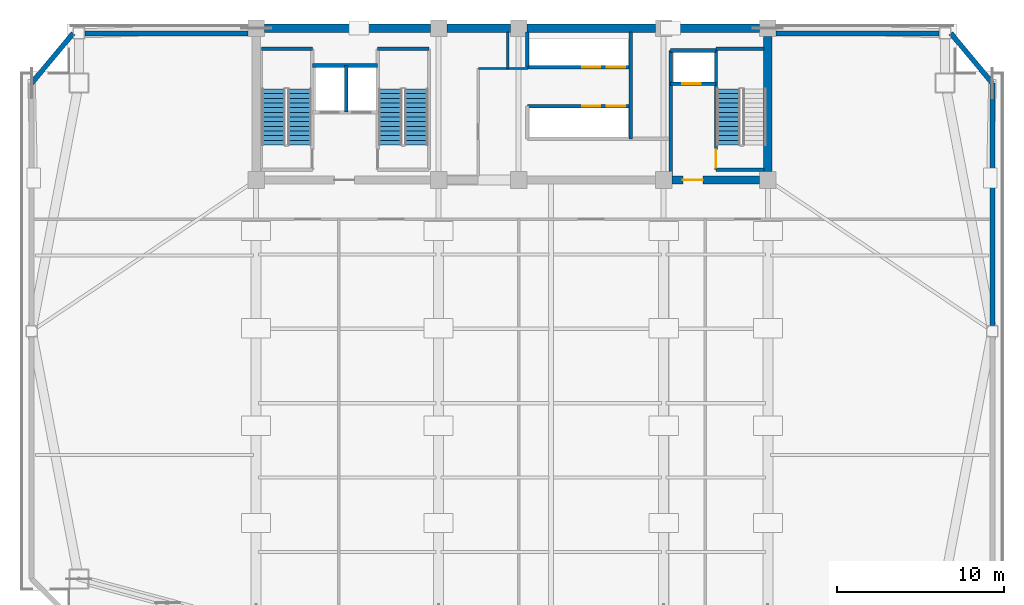
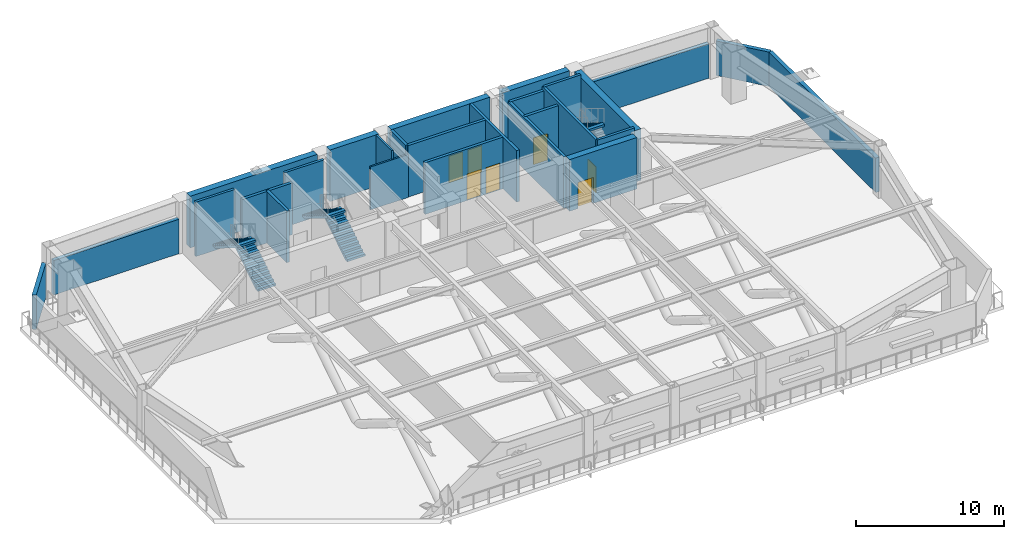
# One storey, part 4 of 11: 27 walls, 7 doors, 5 stair flights, 7 openings, 3 elements without a shape of their own.
"""IFC4 building model written with IfcOpenShell, lengths in metres."""

import ifcopenshell
import ifcopenshell.guid

model = None  # the IFC model being written
_history = None  # IfcOwnerHistory: only IFC2X3 demands one
_inside = {}  # id of a spatial element -> (the spatial element, [elements in it])
_under = {}  # id of a project, library or spatial element -> (it, [spatial elements below it])
_declared = {}  # id of a project -> (the project, [libraries it declares])
_typed = {}  # id of a type object -> (the type object, [elements of that type])
_made_of = {}  # id of a material, layer set ... -> (it, [elements and type objects made of it])


def new_model(schema):
    """Start an empty IFC model of exactly this schema.

    Asked for "IFC4X3", IfcOpenShell would pick the latest addendum, in which some entities
    have other attributes; the version numbers below select the first issue.
    IFC2X3 requires an IfcOwnerHistory on every rooted entity: one is made here for all.
    """
    global model, _history
    if schema == "IFC4X3":
        model = ifcopenshell.file(schema_version=(4, 3, 0, 0))
    else:
        model = ifcopenshell.file(schema=schema)
    _inside.clear()
    _under.clear()
    _declared.clear()
    _typed.clear()
    _made_of.clear()
    _history = None
    if model.schema == "IFC2X3":
        org = make("IfcOrganization", Name="unknown")
        user = make(
            "IfcPersonAndOrganization",
            ThePerson=make("IfcPerson", FamilyName="unknown"),
            TheOrganization=org,
        )
        app = make(
            "IfcApplication",
            ApplicationDeveloper=org,
            Version="unknown",
            ApplicationFullName="unknown",
            ApplicationIdentifier="unknown",
        )
        _history = make(
            "IfcOwnerHistory",
            OwningUser=user,
            OwningApplication=app,
            ChangeAction="ADDED",
            CreationDate=0,
        )
    return model


def make(cls, **values):
    """One entity of the class cls with the attributes given. An attribute that is None is left unset."""
    return model.create_entity(
        cls, **{name: value for name, value in values.items() if value is not None}
    )


def rooted(cls, **values):
    """An entity with a GlobalId (a new one), such as an element, a storey or a relation."""
    return make(cls, GlobalId=ifcopenshell.guid.new(), OwnerHistory=_history, **values)


def si_unit(unit_type, name, prefix=None):
    """IfcSIUnit, for example si_unit("LENGTHUNIT", "METRE", prefix="MILLI")."""
    return make("IfcSIUnit", UnitType=unit_type, Prefix=prefix, Name=name)


def assignment(units):
    """IfcUnitAssignment: the units of a project."""
    return None if units is None else make("IfcUnitAssignment", Units=units)


def point(xyz):
    """IfcCartesianPoint."""
    return None if xyz is None else make("IfcCartesianPoint", Coordinates=xyz)


def direction(xyz):
    """IfcDirection."""
    return None if xyz is None else make("IfcDirection", DirectionRatios=xyz)


def frame(location, z_axis=None, x_axis=None):
    """IfcAxis2Placement3D, a coordinate frame: its origin and axes. An axis left out is left unset."""
    return make(
        "IfcAxis2Placement3D",
        Location=point(location),
        Axis=direction(z_axis),
        RefDirection=direction(x_axis),
    )


def frame_2d(location, x_axis=None):
    """IfcAxis2Placement2D, a coordinate frame in the plane: its origin and x axis."""
    return make(
        "IfcAxis2Placement2D", Location=point(location), RefDirection=direction(x_axis)
    )


def origin():
    """The frame at (0, 0, 0) with its axes left unset."""
    return frame((0.0, 0.0, 0.0))


def place(relative_to, where):
    """IfcLocalPlacement: puts the frame where relative to a parent placement (None: the world)."""
    return make(
        "IfcLocalPlacement", PlacementRelTo=relative_to, RelativePlacement=where
    )


def context(
    kind, dimensions, precision=None, world=None, true_north=None, identifier=None
):
    """IfcGeometricRepresentationContext, for example the 3D "Model" context."""
    return make(
        "IfcGeometricRepresentationContext",
        ContextIdentifier=identifier,
        ContextType=kind,
        CoordinateSpaceDimension=dimensions,
        Precision=precision,
        WorldCoordinateSystem=world,
        TrueNorth=true_north,
    )


def subcontext(parent, identifier, kind, view, scale=None):
    """IfcGeometricRepresentationSubContext, for example "Body" below "Model"."""
    return make(
        "IfcGeometricRepresentationSubContext",
        ContextIdentifier=identifier,
        ContextType=kind,
        ParentContext=parent,
        TargetScale=scale,
        TargetView=view,
    )


def project(units=None, contexts=None):
    """IfcProject with its units and contexts."""
    return rooted(
        "IfcProject",
        Name="project",
        RepresentationContexts=contexts,
        UnitsInContext=assignment(units),
    )


def spatial(cls, under=None, at=None, **own):
    """A site, building, storey or space (cls), placed at a placement, below another one or the project."""
    s = rooted(cls, ObjectPlacement=at, **own)
    if under is not None:
        _under.setdefault(under.id(), (under, []))[1].append(s)
    return s


def polyline(points):
    """IfcPolyline through the points."""
    return make("IfcPolyline", Points=[point(p) for p in points])


def profile(cls, at=None, kind="AREA", **sizes):
    """A parametric profile (cls). Its sizes go by their IFC names, for example OverallWidth=200.0."""
    return make(cls, ProfileType=kind, Position=at, **sizes)


def rectangle(**sizes):
    """IfcRectangleProfileDef."""
    return profile("IfcRectangleProfileDef", **sizes)


def outline(outer, holes=None, kind="AREA"):
    """IfcArbitraryClosedProfileDef: a profile drawn as a closed curve; with holes, ...WithVoids."""
    if holes is None:
        return make("IfcArbitraryClosedProfileDef", ProfileType=kind, OuterCurve=outer)
    return make(
        "IfcArbitraryProfileDefWithVoids",
        ProfileType=kind,
        OuterCurve=outer,
        InnerCurves=holes,
    )


def extrude(swept, where, along, depth):
    """IfcExtrudedAreaSolid: the profile swept, set in the frame where, extruded along a direction by depth."""
    return make(
        "IfcExtrudedAreaSolid",
        SweptArea=swept,
        Position=where,
        ExtrudedDirection=direction(along),
        Depth=depth,
    )


def shape(context_of_items, identifier, shape_type, items):
    """IfcShapeRepresentation: the items that make up one representation, for example the "Body"."""
    return make(
        "IfcShapeRepresentation",
        ContextOfItems=context_of_items,
        RepresentationIdentifier=identifier,
        RepresentationType=shape_type,
        Items=items,
    )


def source(mapping_origin, context_of_items, identifier, shape_type, items):
    """IfcRepresentationMap: a shape defined once, which mapped items show again and again."""
    return make(
        "IfcRepresentationMap",
        MappingOrigin=mapping_origin,
        MappedRepresentation=shape(context_of_items, identifier, shape_type, items),
    )


def transform(
    local_origin,
    x_axis=None,
    y_axis=None,
    z_axis=None,
    scale=None,
    scale2=None,
    scale3=None,
    uniform=True,
):
    """IfcCartesianTransformationOperator3D, or its non-uniform kind. x_axis, y_axis, z_axis: its Axis1, 2, 3."""
    if uniform:
        return make(
            "IfcCartesianTransformationOperator3D",
            Axis1=direction(x_axis),
            Axis2=direction(y_axis),
            LocalOrigin=point(local_origin),
            Scale=scale,
            Axis3=direction(z_axis),
        )
    return make(
        "IfcCartesianTransformationOperator3DnonUniform",
        Axis1=direction(x_axis),
        Axis2=direction(y_axis),
        LocalOrigin=point(local_origin),
        Scale=scale,
        Axis3=direction(z_axis),
        Scale2=scale2,
        Scale3=scale3,
    )


def mapped(mapping_source, mapping_target):
    """IfcMappedItem: shows the shape of a source again, moved by a transform."""
    return make(
        "IfcMappedItem", MappingSource=mapping_source, MappingTarget=mapping_target
    )


def material(Name=None, Category=None):
    """IfcMaterial."""
    return make("IfcMaterial", Name=Name, Category=Category)


def layer(
    of_material, thickness, ventilated=None, Name=None, Category=None, Priority=None
):
    """IfcMaterialLayer: one layer of a wall or slab, of a material (None: an air gap)."""
    return make(
        "IfcMaterialLayer",
        Material=of_material,
        LayerThickness=thickness,
        IsVentilated=ventilated,
        Name=Name,
        Category=Category,
        Priority=Priority,
    )


def layer_set(layers, Name=None):
    """IfcMaterialLayerSet."""
    return make("IfcMaterialLayerSet", MaterialLayers=layers, LayerSetName=Name)


def made_of(thing, what):
    """Note that an element or type object is made of a material, layer set ...; save() writes the relation."""
    if what is not None:
        _made_of.setdefault(what.id(), (what, []))[1].append(thing)
    return thing


def type_object(cls, material=None, **own):
    """A type object (cls), such as IfcWallType, which elements share."""
    return made_of(rooted(cls, **own), material)


def element(
    cls,
    number,
    at=None,
    inside=None,
    cuts=None,
    type_object=None,
    material=None,
    context=None,
    identifier="Body",
    shape_type=None,
    held_by="IfcProductDefinitionShape",
    body=None,
    shapes=None,
    **own,
):
    """One element of the class cls, such as IfcWall. Its Tag is "e" and its number.

    at: its placement. inside: the storey or other place that contains it. cuts: it is an
    opening in that element (IfcRelVoidsElement). A single representation is given by context,
    identifier, shape_type and body (its items); several are given by shapes. held_by: the class
    of the entity that holds the representations. save() writes the other relations.
    """
    e = rooted(cls, Tag="e%d" % number, ObjectPlacement=at, **own)
    if body is not None:
        shapes = [shape(context, identifier, shape_type, body)]
    if shapes is not None:
        e.Representation = make(held_by, Representations=shapes)
    if inside is not None:
        _inside.setdefault(inside.id(), (inside, []))[1].append(e)
    if cuts is not None:
        rooted(
            "IfcRelVoidsElement", RelatingBuildingElement=cuts, RelatedOpeningElement=e
        )
    if type_object is not None:
        _typed.setdefault(type_object.id(), (type_object, []))[1].append(e)
    return made_of(e, material)


def fill(opening, filler):
    """IfcRelFillsElement: the door or window that sits in an opening."""
    return rooted(
        "IfcRelFillsElement",
        RelatingOpeningElement=opening,
        RelatedBuildingElement=filler,
    )


def aggregate(whole, parts):
    """IfcRelAggregates: a whole, such as a stair, and the parts it consists of."""
    return rooted("IfcRelAggregates", RelatingObject=whole, RelatedObjects=parts)


def save(model, path):
    """Write the relations noted so far, then the file.

    IfcRelAggregates (storeys below a building ...), IfcRelContainedInSpatialStructure (elements
    in a storey), IfcRelDefinesByType, IfcRelAssociatesMaterial and IfcRelDeclares: one each for
    every whole, place, type object, material and project.
    """
    for whole, parts in _under.values():
        aggregate(whole, parts)
    for where, things in _inside.values():
        rooted(
            "IfcRelContainedInSpatialStructure",
            RelatedElements=things,
            RelatingStructure=where,
        )
    for kind, things in _typed.values():
        rooted("IfcRelDefinesByType", RelatedObjects=things, RelatingType=kind)
    for what, things in _made_of.values():
        rooted("IfcRelAssociatesMaterial", RelatedObjects=things, RelatingMaterial=what)
    for by, libraries in _declared.values():
        rooted("IfcRelDeclares", RelatingContext=by, RelatedDefinitions=libraries)
    model.write(path)


model = new_model("IFC4")

# Units and contexts
model_context = context("Model", 3, precision=1e-05, world=origin(), true_north=direction((0.0, 1.0)))
body_context = subcontext(model_context, "Body", "Model", "MODEL_VIEW")
ifc_project = project(units=[si_unit("LENGTHUNIT", "METRE"), si_unit("AREAUNIT", "SQUARE_METRE"), si_unit("VOLUMEUNIT", "CUBIC_METRE"), si_unit("PLANEANGLEUNIT", "RADIAN"), si_unit("MASSUNIT", "GRAM", prefix="KILO")], contexts=[model_context])

# Site, building, storey
site_placement = place(None, origin())
site = spatial("IfcSite", under=ifc_project, at=site_placement, CompositionType="ELEMENT")
building_placement = place(site_placement, origin())
building = spatial("IfcBuilding", under=site, at=building_placement, Name="Giltprow Tower", CompositionType="ELEMENT")
storey_placement = place(building_placement, frame((0.0, 0.0, 191.199951171875)))
storey = spatial("IfcBuildingStorey", under=building, at=storey_placement, Name="L48", CompositionType="ELEMENT", Elevation=191.199951171875)

# Walls
ifc_material_1 = material(Name="Precast concrete C40", Category="concrete")
ifc_layer_1 = layer(ifc_material_1, 0.300048828125, Name="Precast concrete C40")
ifc_layer_set_1 = layer_set([ifc_layer_1], Name="Precast concrete C40")
wall_type_1 = type_object("IfcWallType", Name="EW-NOTCH-CHAMFER-300", PredefinedType="SOLIDWALL", material=ifc_layer_set_1)
for number, where, z_axis, x_axis, name in (
    (1, (8.8740234375, 46.25, 0.0), (0.0, 0.0, 1.0), (-0.639807188901, -0.768535465044, 0.0), "L48 Corner Notch Wall NW"),
    (2, (64.011962890625, 43.264892578125, 0.0), (0.0, 0.0, 1.0), (-0.639770061202, 0.768566372403, 0.0), "L48 Corner Notch Wall NE"),
):
    element("IfcWall", number, at=place(storey_placement, frame(where, z_axis=z_axis, x_axis=x_axis)), inside=storey, type_object=wall_type_1, Name=name, PredefinedType="SOLIDWALL", context=body_context, shape_type="SweptSolid", body=[
        extrude(rectangle(XDim=3.884033203125, YDim=0.300048828125, at=frame_2d((1.94189453125, 0.0))), origin(), (0.0, 0.0, 1.0), 2.85009765625),
    ])
ifc_layer_2 = layer(ifc_material_1, 0.300048828125, Name="Precast concrete C40")
ifc_layer_set_2 = layer_set([ifc_layer_2], Name="Precast concrete C40")
wall_type_2 = type_object("IfcWallType", Name="EW-REF-LOUVRE-300", PredefinedType="SOLIDWALL", material=ifc_layer_set_2)
wall_1_placement = place(storey_placement, frame((64.011962890625, 28.739990234375, 0.0), z_axis=(0.0, 0.0, 1.0), x_axis=(0.0, 1.0, 0.0)))
element("IfcWall", 3, at=wall_1_placement, inside=storey, type_object=wall_type_2, Name="L48 E Wing Masonry Wall 2", PredefinedType="SOLIDWALL", context=body_context, shape_type="SweptSolid", body=[
    extrude(rectangle(XDim=14.52490234375, YDim=0.300048828125, at=frame_2d((7.262451171875, 0.0))), origin(), (0.0, 0.0, 1.0), 2.85009765625),
])
wall_2_placement = place(storey_placement, frame((9.573974609375, 46.25, 0.0), z_axis=(0.0, 0.0, 1.0), x_axis=(1.0, 0.0, 0.0)))
element("IfcWall", 4, at=wall_2_placement, inside=storey, type_object=wall_type_2, Name="L48 North-West Wing Wall", PredefinedType="SOLIDWALL", context=body_context, shape_type="SweptSolid", body=[
    extrude(rectangle(XDim=9.776123046875, YDim=0.300048828125, at=frame_2d((4.88818359375, 0.0))), origin(), (0.0, 0.0, 1.0), 2.85009765625),
])
wall_3_placement = place(storey_placement, frame((51.050048828125, 46.25, 0.0), z_axis=(0.0, 0.0, 1.0), x_axis=(1.0, 0.0, 0.0)))
element("IfcWall", 5, at=wall_3_placement, inside=storey, type_object=wall_type_2, Name="L48 North-East Wing Wall", PredefinedType="SOLIDWALL", context=body_context, shape_type="SweptSolid", body=[
    extrude(rectangle(XDim=9.77685546875, YDim=0.300048828125, at=frame_2d((4.888427734375, 0.0))), origin(), (0.0, 0.0, 1.0), 2.85009765625),
])
ifc_material_2 = material(Name="Concrete C40", Category="concrete")
ifc_layer_3 = layer(ifc_material_2, 0.219970703125, Name="Concrete C40")
ifc_layer_set_3 = layer_set([ifc_layer_3], Name="Concrete C40")
wall_type_3 = type_object("IfcWallType", Name="IW-SHAFT-220", PredefinedType="SOLIDWALL", material=ifc_layer_set_3)
wall_4_placement = place(storey_placement, frame((25.260009765625, 41.52001953125, 0.0), z_axis=(0.0, 0.0, 1.0), x_axis=(0.0, 1.0, 0.0)))
element("IfcWall", 6, at=wall_4_placement, inside=storey, type_object=wall_type_3, Name="L48 FFL1-SVL1 Shaft Divider", PredefinedType="SOLIDWALL", context=body_context, shape_type="SweptSolid", body=[
    extrude(rectangle(XDim=2.800048828125, YDim=0.219970703125, at=frame_2d((1.39990234375, 0.0))), origin(), (0.0, 0.0, 1.0), 4.27001953125),
])
wall_5_placement = place(storey_placement, frame((23.219970703125, 44.320068359375, 0.0), z_axis=(0.0, 0.0, 1.0), x_axis=(1.0, 0.0, 0.0)))
element("IfcWall", 7, at=wall_5_placement, inside=storey, type_object=wall_type_3, Name="L48 FFL1-SVL1 Back Shaft Wall", PredefinedType="SOLIDWALL", context=body_context, shape_type="SweptSolid", body=[
    extrude(rectangle(XDim=3.919921875, YDim=0.219970703125, at=frame_2d((1.9599609375, 0.0))), origin(), (0.0, 0.0, 1.0), 4.27001953125),
])

# Wall, opening, door
wall_6_placement = place(storey_placement, frame((44.719970703125, 43.219970703125, 0.0), z_axis=(0.0, 0.0, 1.0), x_axis=(1.0, 0.0, 0.0)))
wall_6 = element("IfcWall", 8, at=wall_6_placement, inside=storey, type_object=wall_type_3, Name="L48 FFL2 Front Shaft Wall", PredefinedType="SOLIDWALL", context=body_context, shape_type="SweptSolid", body=[
    extrude(rectangle(XDim=2.719970703125, YDim=0.219970703125, at=frame_2d((1.35986328125, 0.0))), origin(), (0.0, 0.0, 1.0), 4.27001953125),
])
opening_1_placement = place(wall_6_placement, frame((0.699951171875, 0.0, 0.0)))
opening_1 = element("IfcOpeningElement", 9, at=opening_1_placement, cuts=wall_6, Name="Opening LD-11", PredefinedType="OPENING", context=body_context, shape_type="SweptSolid", body=[
    extrude(rectangle(XDim=1.10009765625, YDim=2.199951171875, at=frame_2d((0.550048828125, 1.10009765625))), frame((0.0, 0.119873046875, 0.0), z_axis=(0.0, -1.0, 0.0), x_axis=(1.0, 0.0, 0.0)), (0.0, 0.0, 1.0), 0.239990234375),
])
ifc_material_3 = material(Name="Stainless steel", Category="steel")
door_type_1 = type_object("IfcDoorType", Name="DR-LIFT-LD1100", OperationType="SLIDING_TO_LEFT", PredefinedType="DOOR", material=ifc_material_3)
shared_shape_1 = source(origin(), body_context, "Body", "SweptSolid", [
    extrude(rectangle(XDim=1.10009765625, YDim=2.199951171875, at=frame_2d((0.550048828125, 1.10009765625))), frame((0.0, 0.02490234375, 0.0), z_axis=(0.0, -1.0, 0.0), x_axis=(1.0, 0.0, 0.0)), (0.0, 0.0, 1.0), 0.050048828125),
])
door_1_placement = place(opening_1_placement, origin())
door_1 = element("IfcDoor", 10, at=door_1_placement, inside=storey, type_object=door_type_1, Name="L48 FFL2 Landing Door", OperationType="SLIDING_TO_LEFT", OverallHeight=2.199951171875, OverallWidth=1.10009765625, PredefinedType="DOOR", context=body_context, shape_type="MappedRepresentation", body=[
    mapped(shared_shape_1, transform((0.0, 0.0, 0.0), x_axis=(1.0, 0.0, 0.0), y_axis=(0.0, 1.0, 0.0), z_axis=(0.0, 0.0, 1.0), scale=1.0)),
])
fill(opening_1, door_1)

# Walls
wall_7_placement = place(storey_placement, frame((44.719970703125, 45.219970703125, 0.0), z_axis=(0.0, 0.0, 1.0), x_axis=(1.0, 0.0, 0.0)))
element("IfcWall", 11, at=wall_7_placement, inside=storey, type_object=wall_type_3, Name="L48 FFL2 Back Shaft Wall", PredefinedType="SOLIDWALL", context=body_context, shape_type="SweptSolid", body=[
    extrude(rectangle(XDim=2.719970703125, YDim=0.219970703125, at=frame_2d((1.35986328125, 0.0))), origin(), (0.0, 0.0, 1.0), 4.27001953125),
])
wall_8_placement = place(storey_placement, frame((44.719970703125, 37.679931640625, 0.0), z_axis=(0.0, 0.0, 1.0), x_axis=(0.0, 1.0, 0.0)))
element("IfcWall", 12, at=wall_8_placement, inside=storey, type_object=wall_type_3, Name="L48 East Firefighting Lobby West Wall", PredefinedType="SOLIDWALL", context=body_context, shape_type="SweptSolid", body=[
    extrude(rectangle(XDim=7.5400390625, YDim=0.219970703125, at=frame_2d((3.77001953125, 0.0))), origin(), (0.0, 0.0, 1.0), 4.27001953125),
])

# Wall, openings, doors
wall_9_placement = place(storey_placement, frame((36.1201171875, 44.219970703125, 0.0), z_axis=(0.0, 0.0, 1.0), x_axis=(1.0, 0.0, 0.0)))
wall_9 = element("IfcWall", 13, at=wall_9_placement, inside=storey, type_object=wall_type_3, Name="L48 Mid-Rise Lift Shaft Front Wall N", PredefinedType="SOLIDWALL", context=body_context, shape_type="SweptSolid", body=[
    extrude(rectangle(XDim=6.199951171875, YDim=0.219970703125, at=frame_2d((3.10009765625, 0.0))), origin(), (0.0, 0.0, 1.0), 4.27001953125),
])
opening_2_placement = place(wall_9_placement, frame((3.280029296875, 0.0, 0.0)))
opening_2 = element("IfcOpeningElement", 14, at=opening_2_placement, cuts=wall_9, Name="Opening LD-11", PredefinedType="OPENING", context=body_context, shape_type="SweptSolid", body=[
    extrude(rectangle(XDim=1.10009765625, YDim=2.199951171875, at=frame_2d((0.550048828125, 1.10009765625))), frame((0.0, 0.119873046875, 0.0), z_axis=(0.0, -1.0, 0.0), x_axis=(1.0, 0.0, 0.0)), (0.0, 0.0, 1.0), 0.239990234375),
])
opening_3_placement = place(wall_9_placement, frame((4.77001953125, 0.0, 0.0)))
opening_3 = element("IfcOpeningElement", 15, at=opening_3_placement, cuts=wall_9, Name="Opening LD-11", PredefinedType="OPENING", context=body_context, shape_type="SweptSolid", body=[
    extrude(rectangle(XDim=1.10009765625, YDim=2.199951171875, at=frame_2d((0.550048828125, 1.10009765625))), frame((0.0, 0.119873046875, 0.0), z_axis=(0.0, -1.0, 0.0), x_axis=(1.0, 0.0, 0.0)), (0.0, 0.0, 1.0), 0.239990234375),
])
door_2_placement = place(opening_2_placement, origin())
door_2 = element("IfcDoor", 16, at=door_2_placement, inside=storey, type_object=door_type_1, Name="L48 PL-M1 Landing Door", OperationType="SLIDING_TO_LEFT", OverallHeight=2.199951171875, OverallWidth=1.10009765625, PredefinedType="DOOR", context=body_context, shape_type="MappedRepresentation", body=[
    mapped(shared_shape_1, transform((0.0, 0.0, 0.0), x_axis=(1.0, 0.0, 0.0), y_axis=(0.0, 1.0, 0.0), z_axis=(0.0, 0.0, 1.0), scale=1.0)),
])
fill(opening_2, door_2)
door_3_placement = place(opening_3_placement, origin())
door_3 = element("IfcDoor", 17, at=door_3_placement, inside=storey, type_object=door_type_1, Name="L48 PL-M2 Landing Door", OperationType="SLIDING_TO_LEFT", OverallHeight=2.199951171875, OverallWidth=1.10009765625, PredefinedType="DOOR", context=body_context, shape_type="MappedRepresentation", body=[
    mapped(shared_shape_1, transform((0.0, 0.0, 0.0), x_axis=(1.0, 0.0, 0.0), y_axis=(0.0, 1.0, 0.0), z_axis=(0.0, 0.0, 1.0), scale=1.0)),
])
fill(opening_3, door_3)

wall_10_placement = place(storey_placement, frame((36.1201171875, 41.8798828125, 0.0), z_axis=(0.0, 0.0, 1.0), x_axis=(1.0, 0.0, 0.0)))
wall_10 = element("IfcWall", 18, at=wall_10_placement, inside=storey, type_object=wall_type_3, Name="L48 Mid-Rise Lift Shaft Front Wall S", PredefinedType="SOLIDWALL", context=body_context, shape_type="SweptSolid", body=[
    extrude(rectangle(XDim=6.199951171875, YDim=0.219970703125, at=frame_2d((3.10009765625, 0.0))), origin(), (0.0, 0.0, 1.0), 4.27001953125),
])
opening_4_placement = place(wall_10_placement, frame((3.280029296875, 0.0, 0.0)))
opening_4 = element("IfcOpeningElement", 19, at=opening_4_placement, cuts=wall_10, Name="Opening LD-11", PredefinedType="OPENING", context=body_context, shape_type="SweptSolid", body=[
    extrude(rectangle(XDim=1.10009765625, YDim=2.199951171875, at=frame_2d((0.550048828125, 1.10009765625))), frame((0.0, 0.119873046875, 0.0), z_axis=(0.0, -1.0, 0.0), x_axis=(1.0, 0.0, 0.0)), (0.0, 0.0, 1.0), 0.239990234375),
])
opening_5_placement = place(wall_10_placement, frame((4.77001953125, 0.0, 0.0)))
opening_5 = element("IfcOpeningElement", 20, at=opening_5_placement, cuts=wall_10, Name="Opening LD-11", PredefinedType="OPENING", context=body_context, shape_type="SweptSolid", body=[
    extrude(rectangle(XDim=1.10009765625, YDim=2.199951171875, at=frame_2d((0.550048828125, 1.10009765625))), frame((0.0, 0.119873046875, 0.0), z_axis=(0.0, -1.0, 0.0), x_axis=(1.0, 0.0, 0.0)), (0.0, 0.0, 1.0), 0.239990234375),
])
door_4_placement = place(opening_4_placement, origin())
door_4 = element("IfcDoor", 21, at=door_4_placement, inside=storey, type_object=door_type_1, Name="L48 PL-M3 Landing Door", OperationType="SLIDING_TO_LEFT", OverallHeight=2.199951171875, OverallWidth=1.10009765625, PredefinedType="DOOR", context=body_context, shape_type="MappedRepresentation", body=[
    mapped(shared_shape_1, transform((0.0, 0.0, 0.0), x_axis=(1.0, 0.0, 0.0), y_axis=(0.0, 1.0, 0.0), z_axis=(0.0, 0.0, 1.0), scale=1.0)),
])
fill(opening_4, door_4)
door_5_placement = place(opening_5_placement, origin())
door_5 = element("IfcDoor", 22, at=door_5_placement, inside=storey, type_object=door_type_1, Name="L48 PL-M4 Landing Door", OperationType="SLIDING_TO_LEFT", OverallHeight=2.199951171875, OverallWidth=1.10009765625, PredefinedType="DOOR", context=body_context, shape_type="MappedRepresentation", body=[
    mapped(shared_shape_1, transform((0.0, 0.0, 0.0), x_axis=(1.0, 0.0, 0.0), y_axis=(0.0, 1.0, 0.0), z_axis=(0.0, 0.0, 1.0), scale=1.0)),
])
fill(opening_5, door_5)

# Walls
wall_11_placement = place(storey_placement, frame((42.320068359375, 39.919921875, 0.0), z_axis=(0.0, 0.0, 1.0), x_axis=(0.0, 1.0, 0.0)))
element("IfcWall", 23, at=wall_11_placement, inside=storey, type_object=wall_type_3, Name="L48 Mid-Rise Lift Bank East Closure", PredefinedType="SOLIDWALL", context=body_context, shape_type="SweptSolid", body=[
    extrude(rectangle(XDim=6.400146484375, YDim=0.219970703125, at=frame_2d((3.2001953125, 0.0))), origin(), (0.0, 0.0, 1.0), 4.27001953125),
])
wall_12_placement = place(storey_placement, frame((36.1201171875, 44.219970703125, 0.0), z_axis=(0.0, 0.0, 1.0), x_axis=(0.0, 1.0, 0.0)))
element("IfcWall", 24, at=wall_12_placement, inside=storey, type_object=wall_type_3, Name="L48 Mid-Rise North Lift West Closure", PredefinedType="SOLIDWALL", context=body_context, shape_type="SweptSolid", body=[
    extrude(rectangle(XDim=2.10009765625, YDim=0.219970703125, at=frame_2d((1.050048828125, 0.0))), origin(), (0.0, 0.0, 1.0), 4.27001953125),
])
ifc_layer_4 = layer(ifc_material_2, 0.199951171875, Name="Concrete C40")
ifc_layer_set_4 = layer_set([ifc_layer_4], Name="Concrete C40")
wall_type_4 = type_object("IfcWallType", Name="IW-STAIR-200", PredefinedType="SOLIDWALL", material=ifc_layer_set_4)
wall_13_placement = place(storey_placement, frame((20.169921875, 45.320068359375, 0.0), z_axis=(0.0, 0.0, 1.0), x_axis=(1.0, 0.0, 0.0)))
element("IfcWall", 25, at=wall_13_placement, inside=storey, type_object=wall_type_4, Name="L48 Stair ST-1 North Bearing Wall", PredefinedType="SOLIDWALL", context=body_context, shape_type="SweptSolid", body=[
    extrude(rectangle(XDim=3.050048828125, YDim=0.199951171875, at=frame_2d((1.52490234375, 0.0))), origin(), (0.0, 0.0, 1.0), 4.5),
])
wall_14_placement = place(storey_placement, frame((27.139892578125, 45.320068359375, 0.0), z_axis=(0.0, 0.0, 1.0), x_axis=(1.0, 0.0, 0.0)))
element("IfcWall", 26, at=wall_14_placement, inside=storey, type_object=wall_type_4, Name="L48 Stair ST-2 North Bearing Wall", PredefinedType="SOLIDWALL", context=body_context, shape_type="SweptSolid", body=[
    extrude(rectangle(XDim=3.080078125, YDim=0.199951171875, at=frame_2d((1.5400390625, 0.0))), origin(), (0.0, 0.0, 1.0), 4.5),
])

# Wall, opening, door
wall_15_placement = place(storey_placement, frame((47.43994140625, 38.070068359375, 0.0), z_axis=(0.0, 0.0, 1.0), x_axis=(0.0, 1.0, 0.0)))
wall_15 = element("IfcWall", 27, at=wall_15_placement, inside=storey, type_object=wall_type_4, Name="L48 Stair ST-3 West Bearing Wall", PredefinedType="SOLIDWALL", context=body_context, shape_type="SweptSolid", body=[
    extrude(rectangle(XDim=7.25, YDim=0.199951171875, at=frame_2d((3.625, 0.0))), origin(), (0.0, 0.0, 1.0), 4.5),
])
opening_6_placement = place(wall_15_placement, frame((0.110107421875, 0.0, 0.0)))
opening_6 = element("IfcOpeningElement", 28, at=opening_6_placement, cuts=wall_15, Name="Opening ID33", PredefinedType="OPENING", context=body_context, shape_type="SweptSolid", body=[
    extrude(rectangle(XDim=1.10009765625, YDim=2.14990234375, at=frame_2d((0.550048828125, 1.074951171875))), frame((0.0, 0.10986328125, 0.0), z_axis=(0.0, -1.0, 0.0), x_axis=(1.0, 0.0, 0.0)), (0.0, 0.0, 1.0), 0.219970703125),
])
ifc_material_4 = material(Name="Steel fire leaf", Category="steel")
door_type_2 = type_object("IfcDoorType", Name="DR-STAIR-1100", OperationType="SINGLE_SWING_LEFT", PredefinedType="DOOR", material=ifc_material_4)
shared_shape_2 = source(origin(), body_context, "Body", "SweptSolid", [
    extrude(rectangle(XDim=1.10009765625, YDim=2.14990234375, at=frame_2d((0.550048828125, 1.074951171875))), frame((0.0, 0.02490234375, 0.0), z_axis=(0.0, -1.0, 0.0), x_axis=(1.0, 0.0, 0.0)), (0.0, 0.0, 1.0), 0.050048828125),
])
door_6_placement = place(opening_6_placement, origin())
door_6 = element("IfcDoor", 29, at=door_6_placement, inside=storey, type_object=door_type_2, Name="L48 Stair ST-3 Fire Door", OperationType="SINGLE_SWING_LEFT", OverallHeight=2.14990234375, OverallWidth=1.10009765625, PredefinedType="DOOR", context=body_context, shape_type="MappedRepresentation", body=[
    mapped(shared_shape_2, transform((0.0, 0.0, 0.0), x_axis=(1.0, 0.0, 0.0), y_axis=(0.0, 1.0, 0.0), z_axis=(0.0, 0.0, 1.0), scale=1.0)),
])
fill(opening_6, door_6)

# Walls
for number, where, z_axis, x_axis, name in (
    (30, (47.43994140625, 45.320068359375, 0.0), (0.0, 0.0, 1.0), (1.0, 0.0, 0.0), "L48 Stair ST-3 North Bearing Wall"),
    (31, (47.43994140625, 38.070068359375, 0.0), (0.0, 0.0, 1.0), (1.0, 0.0, 0.0), "L48 Stair ST-3 South Bearing Wall"),
):
    element("IfcWall", number, at=place(storey_placement, frame(where, z_axis=z_axis, x_axis=x_axis)), inside=storey, type_object=wall_type_4, Name=name, PredefinedType="SOLIDWALL", context=body_context, shape_type="SweptSolid", body=[
        extrude(rectangle(XDim=2.880126953125, YDim=0.199951171875, at=frame_2d((1.43994140625, 0.0))), origin(), (0.0, 0.0, 1.0), 4.5),
    ])
ifc_material_5 = material(Name="Concrete C30", Category="concrete")
ifc_layer_5 = layer(ifc_material_5, 0.1298828125, Name="Concrete C30")
ifc_layer_set_5 = layer_set([ifc_layer_5], Name="Concrete C30")
wall_type_5 = type_object("IfcWallType", Name="IW-WET-130", PredefinedType="PARTITIONING", material=ifc_layer_set_5)
wall_16_placement = place(storey_placement, frame((34.949951171875, 44.14990234375, 0.0), z_axis=(0.0, 0.0, 1.0), x_axis=(0.0, 1.0, 0.0)))
element("IfcWall", 32, at=wall_16_placement, inside=storey, type_object=wall_type_5, Name="L48 Reclaimed North Pocket East Wall", PredefinedType="PARTITIONING", context=body_context, shape_type="SweptSolid", body=[
    extrude(rectangle(XDim=2.170166015625, YDim=0.1298828125, at=frame_2d((1.0849609375, 0.0))), origin(), (0.0, 0.0, 1.0), 4.27001953125),
])
wall_17_placement = place(storey_placement, frame((33.179931640625, 44.14990234375, 0.0), z_axis=(0.0, 0.0, 1.0), x_axis=(1.0, 0.0, 0.0)))
element("IfcWall", 33, at=wall_17_placement, inside=storey, type_object=wall_type_5, Name="L48 Reclaimed North Pocket South Wall", PredefinedType="PARTITIONING", context=body_context, shape_type="SweptSolid", body=[
    extrude(rectangle(XDim=2.969970703125, YDim=0.1298828125, at=frame_2d((1.48486328125, 0.0))), origin(), (0.0, 0.0, 1.0), 3.554931640625),
])
ifc_material_6 = material(Name="Concrete C50", Category="concrete")
ifc_layer_6 = layer(ifc_material_6, 0.5, Name="Concrete C50")
ifc_layer_set_6 = layer_set([ifc_layer_6], Name="Concrete C50")
wall_type_6 = type_object("IfcWallType", Name="SW-EXT-500-C50", PredefinedType="SHEAR", material=ifc_layer_set_6)
wall_18_placement = place(storey_placement, frame((20.35009765625, 46.550048828125, 0.0), z_axis=(0.0, 0.0, 1.0), x_axis=(1.0, 0.0, 0.0)))
element("IfcWall", 34, at=wall_18_placement, inside=storey, type_object=wall_type_6, Name="L48 North Rear Core Shear Wall 1", PredefinedType="SHEAR", context=body_context, shape_type="SweptSolid", body=[
    extrude(rectangle(XDim=9.949951171875, YDim=0.5, at=frame_2d((4.97509765625, 0.0))), origin(), (0.0, 0.0, 1.0), 4.27001953125),
])
wall_19_placement = place(storey_placement, frame((31.300048828125, 46.550048828125, 0.0), z_axis=(0.0, 0.0, 1.0), x_axis=(1.0, 0.0, 0.0)))
element("IfcWall", 35, at=wall_19_placement, inside=storey, type_object=wall_type_6, Name="L48 North Rear Core Shear Wall 2", PredefinedType="SHEAR", context=body_context, shape_type="SweptSolid", body=[
    extrude(rectangle(XDim=3.800048828125, YDim=0.5, at=frame_2d((1.89990234375, 0.0))), origin(), (0.0, 0.0, 1.0), 4.27001953125),
])
wall_20_placement = place(storey_placement, frame((36.10009765625, 46.550048828125, 0.0), z_axis=(0.0, 0.0, 1.0), x_axis=(1.0, 0.0, 0.0)))
element("IfcWall", 36, at=wall_20_placement, inside=storey, type_object=wall_type_6, Name="L48 North Rear Core Shear Wall 3", PredefinedType="SHEAR", context=body_context, shape_type="SweptSolid", body=[
    extrude(rectangle(XDim=7.699951171875, YDim=0.5, at=frame_2d((3.85009765625, 0.0))), origin(), (0.0, 0.0, 1.0), 4.27001953125),
])
wall_21_placement = place(storey_placement, frame((44.800048828125, 46.550048828125, 0.0), z_axis=(0.0, 0.0, 1.0), x_axis=(1.0, 0.0, 0.0)))
element("IfcWall", 37, at=wall_21_placement, inside=storey, type_object=wall_type_6, Name="L48 North Rear Core Shear Wall 4", PredefinedType="SHEAR", context=body_context, shape_type="SweptSolid", body=[
    extrude(rectangle(XDim=5.25, YDim=0.5, at=frame_2d((2.625, 0.0))), origin(), (0.0, 0.0, 1.0), 4.27001953125),
])

# Wall, opening, door
ifc_layer_7 = layer(ifc_material_6, 0.5, Name="Concrete C50")
ifc_layer_set_7 = layer_set([ifc_layer_7], Name="Concrete C50")
wall_type_7 = type_object("IfcWallType", Name="SW-INT-500-C50", PredefinedType="SHEAR", material=ifc_layer_set_7)
wall_22_placement = place(storey_placement, frame((44.800048828125, 37.449951171875, 0.0), z_axis=(0.0, 0.0, 1.0), x_axis=(1.0, 0.0, 0.0)))
wall_22 = element("IfcWall", 38, at=wall_22_placement, inside=storey, type_object=wall_type_7, Name="L48 South Rear Core Shear Wall East", PredefinedType="SHEAR", context=body_context, shape_type="SweptSolid", body=[
    extrude(rectangle(XDim=5.25, YDim=0.5, at=frame_2d((2.625, 0.0))), origin(), (0.0, 0.0, 1.0), 4.27001953125),
])
opening_7_placement = place(wall_22_placement, frame((0.64990234375, 0.0, 0.0)))
opening_7 = element("IfcOpeningElement", 39, at=opening_7_placement, cuts=wall_22, Name="Opening ID19", PredefinedType="OPENING", context=body_context, shape_type="SweptSolid", body=[
    extrude(rectangle(XDim=1.199951171875, YDim=2.14990234375, at=frame_2d((0.60009765625, 1.074951171875))), frame((0.0, 0.260009765625, 0.0), z_axis=(0.0, -1.0, 0.0), x_axis=(1.0, 0.0, 0.0)), (0.0, 0.0, 1.0), 0.52001953125),
])
door_type_3 = type_object("IfcDoorType", Name="DR-FFLOBBY-1200", OperationType="SINGLE_SWING_RIGHT", PredefinedType="DOOR", material=ifc_material_4)
shared_shape_3 = source(origin(), body_context, "Body", "SweptSolid", [
    extrude(rectangle(XDim=1.199951171875, YDim=2.14990234375, at=frame_2d((0.60009765625, 1.074951171875))), frame((0.0, 0.02490234375, 0.0), z_axis=(0.0, -1.0, 0.0), x_axis=(1.0, 0.0, 0.0)), (0.0, 0.0, 1.0), 0.050048828125),
])
door_7_placement = place(opening_7_placement, origin())
door_7 = element("IfcDoor", 40, at=door_7_placement, inside=storey, type_object=door_type_3, Name="L48 East Firefighting Lobby Entry Door", OperationType="SINGLE_SWING_RIGHT", OverallHeight=2.14990234375, OverallWidth=1.199951171875, PredefinedType="DOOR", context=body_context, shape_type="MappedRepresentation", body=[
    mapped(shared_shape_3, transform((0.0, 0.0, 0.0), x_axis=(1.0, 0.0, 0.0), y_axis=(0.0, 1.0, 0.0), z_axis=(0.0, 0.0, 1.0), scale=1.0)),
])
fill(opening_7, door_7)

# Wall
wall_23_placement = place(storey_placement, frame((50.550048828125, 37.949951171875, 0.0), z_axis=(0.0, 0.0, 1.0), x_axis=(0.0, 1.0, 0.0)))
element("IfcWall", 41, at=wall_23_placement, inside=storey, type_object=wall_type_7, Name="L48 E Rear Core Shear Wall", PredefinedType="SHEAR", context=body_context, shape_type="SweptSolid", body=[
    extrude(rectangle(XDim=8.10009765625, YDim=0.5, at=frame_2d((4.050048828125, 0.0))), origin(), (0.0, 0.0, 1.0), 4.27001953125),
])

# Stair, stair flights
stair_type_1 = type_object("IfcStairType", Name="STR-ST-1", PredefinedType="HALF_TURN_STAIR", material=ifc_material_2)
stair_1_placement = place(storey_placement, origin())
stair_1 = element("IfcStair", 42, at=stair_1_placement, inside=storey, type_object=stair_type_1, Name="L48 Core Exit Stair ST-1", PredefinedType="HALF_TURN_STAIR")
stair_flight_type_1 = type_object("IfcStairFlightType", Name="SFL-ST-1", PredefinedType="STRAIGHT", material=ifc_material_2)
stair_flight_1_placement = place(storey_placement, frame((22.4599609375, 39.550048828125, 0.0), z_axis=(0.0, 0.0, 1.0), x_axis=(0.0, 1.0, 0.0)))
stair_flight_1 = element("IfcStairFlight", 43, at=stair_flight_1_placement, type_object=stair_flight_type_1, Name="ST-1 flight 1", NumberOfRisers=13, NumberOfTreads=12, PredefinedType="STRAIGHT", RiserHeight=0.173076923, TreadLength=0.28, context=body_context, shape_type="SweptSolid", body=[
    extrude(outline(polyline([(0.0, 0.0), (0.0, 0.173095703125), (0.280029296875, 0.173095703125), (0.280029296875, 0.34619140625), (0.56005859375, 0.34619140625), (0.56005859375, 0.519287109375), (0.840087890625, 0.519287109375), (0.840087890625, 0.6923828125), (1.1201171875, 0.6923828125), (1.1201171875, 0.865478515625), (1.39990234375, 0.865478515625), (1.39990234375, 1.03857421875), (1.679931640625, 1.03857421875), (1.679931640625, 1.21142578125), (1.9599609375, 1.21142578125), (1.9599609375, 1.384521484375), (2.239990234375, 1.384521484375), (2.239990234375, 1.5576171875), (2.52001953125, 1.5576171875), (2.52001953125, 1.730712890625), (2.800048828125, 1.730712890625), (2.800048828125, 1.90380859375), (3.080078125, 1.90380859375), (3.080078125, 2.076904296875), (3.360107421875, 2.076904296875), (3.360107421875, 2.25), (3.360107421875, 1.900634765625), (0.28515625, 0.0), (0.0, 0.0)])), frame((0.0, 0.699951171875, 0.0), z_axis=(0.0, -1.0, 0.0), x_axis=(1.0, 0.0, 0.0)), (0.0, 0.0, 1.0), 1.39990234375),
])
stair_flight_2_placement = place(storey_placement, frame((20.89990234375, 42.909912109375, 2.25), z_axis=(0.0, 0.0, 1.0), x_axis=(0.0, -1.0, 0.0)))
stair_flight_2 = element("IfcStairFlight", 44, at=stair_flight_2_placement, type_object=stair_flight_type_1, Name="ST-1 flight 2", NumberOfRisers=13, NumberOfTreads=12, PredefinedType="STRAIGHT", RiserHeight=0.173076923, TreadLength=0.28, context=body_context, shape_type="SweptSolid", body=[
    extrude(outline(polyline([(0.0, 0.0), (0.0, 0.173095703125), (0.280029296875, 0.173095703125), (0.280029296875, 0.34619140625), (0.56005859375, 0.34619140625), (0.56005859375, 0.519287109375), (0.840087890625, 0.519287109375), (0.840087890625, 0.6923828125), (1.1201171875, 0.6923828125), (1.1201171875, 0.865478515625), (1.39990234375, 0.865478515625), (1.39990234375, 1.03857421875), (1.679931640625, 1.03857421875), (1.679931640625, 1.21142578125), (1.9599609375, 1.21142578125), (1.9599609375, 1.384521484375), (2.239990234375, 1.384521484375), (2.239990234375, 1.5576171875), (2.52001953125, 1.5576171875), (2.52001953125, 1.730712890625), (2.800048828125, 1.730712890625), (2.800048828125, 1.90380859375), (3.080078125, 1.90380859375), (3.080078125, 2.076904296875), (3.360107421875, 2.076904296875), (3.360107421875, 2.25), (3.360107421875, 1.900634765625), (0.28515625, 0.0), (0.0, 0.0)])), frame((0.0, 0.699951171875, 0.0), z_axis=(0.0, -1.0, 0.0), x_axis=(1.0, 0.0, 0.0)), (0.0, 0.0, 1.0), 1.39990234375),
])
aggregate(stair_1, [stair_flight_1, stair_flight_2])

stair_type_2 = type_object("IfcStairType", Name="STR-ST-2", PredefinedType="HALF_TURN_STAIR", material=ifc_material_2)
stair_2_placement = place(storey_placement, origin())
stair_2 = element("IfcStair", 45, at=stair_2_placement, inside=storey, type_object=stair_type_2, Name="L48 Core Exit Stair ST-2", PredefinedType="HALF_TURN_STAIR")
stair_flight_type_2 = type_object("IfcStairFlightType", Name="SFL-ST-2", PredefinedType="STRAIGHT", material=ifc_material_2)
stair_flight_3_placement = place(storey_placement, frame((29.4599609375, 39.550048828125, 0.0), z_axis=(0.0, 0.0, 1.0), x_axis=(0.0, 1.0, 0.0)))
stair_flight_3 = element("IfcStairFlight", 46, at=stair_flight_3_placement, type_object=stair_flight_type_2, Name="ST-2 flight 1", NumberOfRisers=13, NumberOfTreads=12, PredefinedType="STRAIGHT", RiserHeight=0.173076923, TreadLength=0.28, context=body_context, shape_type="SweptSolid", body=[
    extrude(outline(polyline([(0.0, 0.0), (0.0, 0.173095703125), (0.280029296875, 0.173095703125), (0.280029296875, 0.34619140625), (0.56005859375, 0.34619140625), (0.56005859375, 0.519287109375), (0.840087890625, 0.519287109375), (0.840087890625, 0.6923828125), (1.1201171875, 0.6923828125), (1.1201171875, 0.865478515625), (1.39990234375, 0.865478515625), (1.39990234375, 1.03857421875), (1.679931640625, 1.03857421875), (1.679931640625, 1.21142578125), (1.9599609375, 1.21142578125), (1.9599609375, 1.384521484375), (2.239990234375, 1.384521484375), (2.239990234375, 1.5576171875), (2.52001953125, 1.5576171875), (2.52001953125, 1.730712890625), (2.800048828125, 1.730712890625), (2.800048828125, 1.90380859375), (3.080078125, 1.90380859375), (3.080078125, 2.076904296875), (3.360107421875, 2.076904296875), (3.360107421875, 2.25), (3.360107421875, 1.900634765625), (0.28515625, 0.0), (0.0, 0.0)])), frame((0.0, 0.699951171875, 0.0), z_axis=(0.0, -1.0, 0.0), x_axis=(1.0, 0.0, 0.0)), (0.0, 0.0, 1.0), 1.39990234375),
])
stair_flight_4_placement = place(storey_placement, frame((27.89990234375, 42.909912109375, 2.25), z_axis=(0.0, 0.0, 1.0), x_axis=(0.0, -1.0, 0.0)))
stair_flight_4 = element("IfcStairFlight", 47, at=stair_flight_4_placement, type_object=stair_flight_type_2, Name="ST-2 flight 2", NumberOfRisers=13, NumberOfTreads=12, PredefinedType="STRAIGHT", RiserHeight=0.173076923, TreadLength=0.28, context=body_context, shape_type="SweptSolid", body=[
    extrude(outline(polyline([(0.0, 0.0), (0.0, 0.173095703125), (0.280029296875, 0.173095703125), (0.280029296875, 0.34619140625), (0.56005859375, 0.34619140625), (0.56005859375, 0.519287109375), (0.840087890625, 0.519287109375), (0.840087890625, 0.6923828125), (1.1201171875, 0.6923828125), (1.1201171875, 0.865478515625), (1.39990234375, 0.865478515625), (1.39990234375, 1.03857421875), (1.679931640625, 1.03857421875), (1.679931640625, 1.21142578125), (1.9599609375, 1.21142578125), (1.9599609375, 1.384521484375), (2.239990234375, 1.384521484375), (2.239990234375, 1.5576171875), (2.52001953125, 1.5576171875), (2.52001953125, 1.730712890625), (2.800048828125, 1.730712890625), (2.800048828125, 1.90380859375), (3.080078125, 1.90380859375), (3.080078125, 2.076904296875), (3.360107421875, 2.076904296875), (3.360107421875, 2.25), (3.360107421875, 1.900634765625), (0.28515625, 0.0), (0.0, 0.0)])), frame((0.0, 0.699951171875, 0.0), z_axis=(0.0, -1.0, 0.0), x_axis=(1.0, 0.0, 0.0)), (0.0, 0.0, 1.0), 1.39990234375),
])
aggregate(stair_2, [stair_flight_3, stair_flight_4])

# Stair, stair flight
stair_type_3 = type_object("IfcStairType", Name="STR-ST-3", PredefinedType="HALF_TURN_STAIR", material=ifc_material_2)
stair_3_placement = place(storey_placement, origin())
stair_3 = element("IfcStair", 48, at=stair_3_placement, inside=storey, type_object=stair_type_3, Name="L48 Core Exit Stair ST-3", PredefinedType="HALF_TURN_STAIR")
stair_flight_type_3 = type_object("IfcStairFlightType", Name="SFL-ST-3", PredefinedType="STRAIGHT", material=ifc_material_2)
stair_flight_5_placement = place(storey_placement, frame((48.199951171875, 42.909912109375, 2.25), z_axis=(0.0, 0.0, 1.0), x_axis=(0.0, -1.0, 0.0)))
stair_flight_5 = element("IfcStairFlight", 49, at=stair_flight_5_placement, type_object=stair_flight_type_3, Name="ST-3 flight 2", NumberOfRisers=13, NumberOfTreads=12, PredefinedType="STRAIGHT", RiserHeight=0.173076923, TreadLength=0.28, context=body_context, shape_type="SweptSolid", body=[
    extrude(outline(polyline([(0.0, 0.0), (0.0, 0.173095703125), (0.280029296875, 0.173095703125), (0.280029296875, 0.34619140625), (0.56005859375, 0.34619140625), (0.56005859375, 0.519287109375), (0.840087890625, 0.519287109375), (0.840087890625, 0.6923828125), (1.1201171875, 0.6923828125), (1.1201171875, 0.865478515625), (1.39990234375, 0.865478515625), (1.39990234375, 1.03857421875), (1.679931640625, 1.03857421875), (1.679931640625, 1.21142578125), (1.9599609375, 1.21142578125), (1.9599609375, 1.384521484375), (2.239990234375, 1.384521484375), (2.239990234375, 1.5576171875), (2.52001953125, 1.5576171875), (2.52001953125, 1.730712890625), (2.800048828125, 1.730712890625), (2.800048828125, 1.90380859375), (3.080078125, 1.90380859375), (3.080078125, 2.076904296875), (3.360107421875, 2.076904296875), (3.360107421875, 2.25), (3.360107421875, 1.900634765625), (0.28515625, 0.0), (0.0, 0.0)])), frame((0.0, 0.699951171875, 0.0), z_axis=(0.0, -1.0, 0.0), x_axis=(1.0, 0.0, 0.0)), (0.0, 0.0, 1.0), 1.39990234375),
])
aggregate(stair_3, [stair_flight_5])

save(model, "model.ifc")
